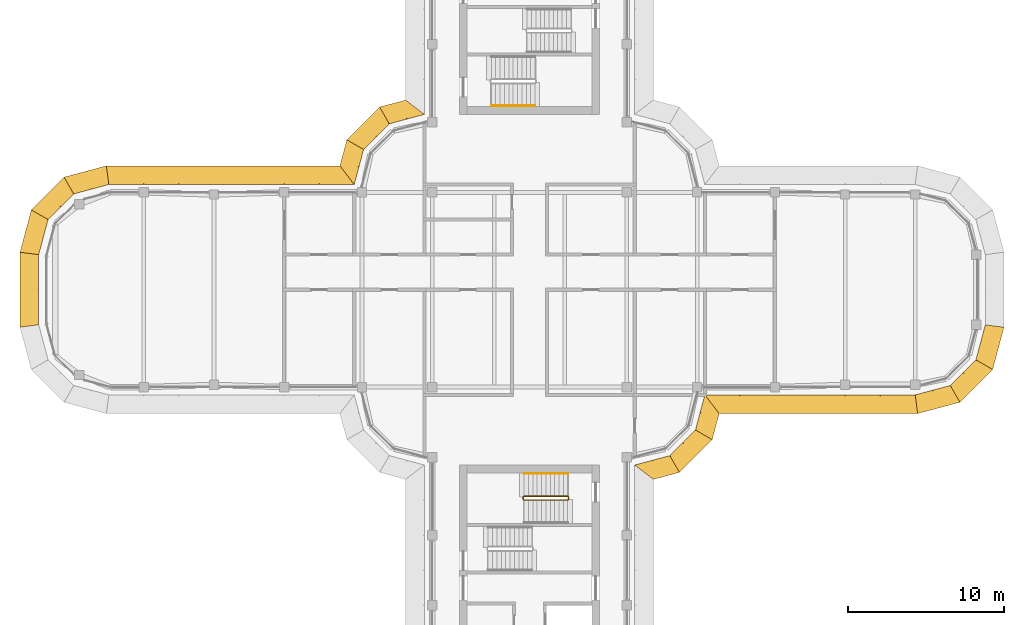
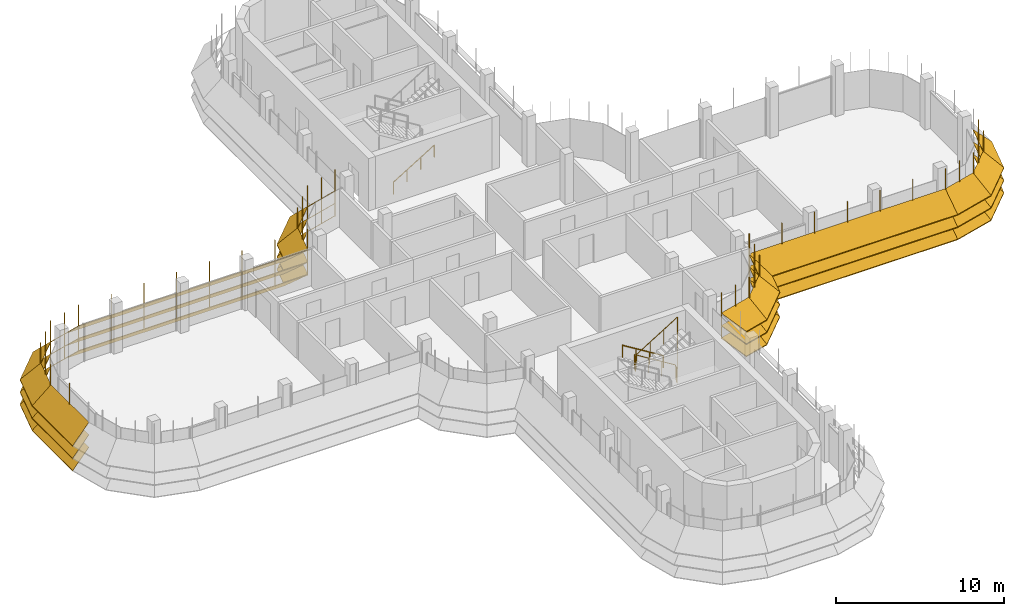
# One storey, part 17 of 19: 7 shading devices, 3 railings.
"""IFC4 building model written with IfcOpenShell, lengths in metres."""

from ifc_helpers import new_model, si_unit, direction, frame, origin, origin_2d, place, context, subcontext, project, spatial, polyline, circle, outline, extrude, faceted_brep, source, transform, mapped, material, type_object, element, save


model = new_model("IFC4")

# Units and contexts
model_context = context("Model", 3, precision=1e-05, world=origin(), true_north=direction((0.0, 1.0)))
body_context = subcontext(model_context, "Body", "Model", "MODEL_VIEW")
ifc_project = project(units=[si_unit("LENGTHUNIT", "METRE"), si_unit("AREAUNIT", "SQUARE_METRE"), si_unit("VOLUMEUNIT", "CUBIC_METRE"), si_unit("PLANEANGLEUNIT", "RADIAN"), si_unit("MASSUNIT", "GRAM", prefix="KILO")], contexts=[model_context])

# Site, building, storey
site_placement = place(None, origin())
site = spatial("IfcSite", under=ifc_project, at=site_placement, CompositionType="ELEMENT")
building_placement = place(site_placement, origin())
building = spatial("IfcBuilding", under=site, at=building_placement, Name="Zarbagh Exchange Tower", CompositionType="ELEMENT")
storey_placement = place(building_placement, frame((0.0, 0.0, 253.60009765625)))
storey = spatial("IfcBuildingStorey", under=building, at=storey_placement, Name="L62", CompositionType="ELEMENT", Elevation=253.60009765625)

# Railings
ifc_material_1 = material(Name="Stainless steel", Category="steel")
railing_type_1 = type_object("IfcRailingType", Name="Stair guard 1100 mm", PredefinedType="GUARDRAIL", material=ifc_material_1)
railing_1_placement = place(storey_placement, frame((-0.35009765625, -13.5, 2.072509765625)))
element("IfcRailing", 1, at=railing_1_placement, inside=storey, type_object=railing_type_1, Name="ST4 stair guard 1", PredefinedType="GUARDRAIL", context=body_context, shape_type="SweptSolid", body=[
    extrude(circle(Radius=0.02392578125, at=origin_2d()), frame((0.0, 0.0, 1.076171875), z_axis=(0.851089632645, 0.0, 0.525020415988), x_axis=(0.0, 1.0, 0.0)), (0.0, 0.0, 1.0), 3.2900390625),
    extrude(circle(Radius=0.02392578125, at=origin_2d()), frame((2.800048828125, 0.0, 2.80322265625), z_axis=(0.013169136761, 0.013169136761, -0.999826558796), x_axis=(-0.707106781187, 0.707106781187, 0.0)), (0.0, 0.0, 1.0), 3.800537109375),
    extrude(circle(Radius=0.02392578125, at=origin_2d()), frame((2.85009765625, 0.050048828125, -0.99658203125), z_axis=(0.0, 1.0, 0.0), x_axis=(-1.0, 0.0, 0.0)), (0.0, 0.0, 1.0), 0.14990234375),
    extrude(circle(Radius=0.02392578125, at=origin_2d()), frame((2.85009765625, 0.199951171875, -0.99658203125), z_axis=(-0.268277960024, 0.268277960024, 0.925231793839), x_axis=(-0.707106781187, -0.707106781187, 0.0)), (0.0, 0.0, 1.0), 0.1865234375),
    extrude(circle(Radius=0.02392578125, at=origin_2d()), frame((2.800048828125, 0.25, -0.82373046875), z_axis=(-0.851089632645, 0.0, 0.525020415988), x_axis=(0.0, -1.0, 0.0)), (0.0, 0.0, 1.0), 3.2900390625),
    extrude(circle(Radius=0.02392578125, at=origin_2d()), frame((0.0, 0.25, 0.9033203125), z_axis=(-0.705375805398, -0.708833529934, 0.0), x_axis=(0.708833529934, -0.705375805398, 0.0)), (0.0, 0.0, 1.0), 0.070556640625),
    extrude(circle(Radius=0.02392578125, at=origin_2d()), frame((-0.0498046875, 0.199951171875, 0.9033203125), z_axis=(0.0, -1.0, 0.0), x_axis=(1.0, 0.0, 0.0)), (0.0, 0.0, 1.0), 0.14990234375),
    extrude(circle(Radius=0.02099609375, at=origin_2d()), origin(), (0.0, 0.0, 1.0), 1.052001953125),
    extrude(circle(Radius=0.02099609375, at=origin_2d()), frame((0.933349609375, 0.0, 0.57568359375)), (0.0, 0.0, 1.0), 1.052001953125),
    extrude(circle(Radius=0.02099609375, at=origin_2d()), frame((1.86669921875, 0.0, 1.151611328125)), (0.0, 0.0, 1.0), 1.052001953125),
    extrude(circle(Radius=0.02099609375, at=origin_2d()), frame((2.800048828125, 0.0, 1.727294921875)), (0.0, 0.0, 1.0), 1.052001953125),
    extrude(circle(Radius=0.02099609375, at=origin_2d()), frame((2.8125, 0.012451171875, 0.77734375)), (0.0, 0.0, 1.0), 1.052001953125),
    extrude(circle(Radius=0.02099609375, at=origin_2d()), frame((2.8251953125, 0.02490234375, -0.172607421875)), (0.0, 0.0, 1.0), 1.052001953125),
    extrude(circle(Radius=0.02099609375, at=origin_2d()), frame((2.837646484375, 0.03759765625, -1.12255859375)), (0.0, 0.0, 1.0), 1.052001953125),
    extrude(circle(Radius=0.02099609375, at=origin_2d()), frame((2.85009765625, 0.050048828125, -2.072509765625)), (0.0, 0.0, 1.0), 1.052001953125),
    extrude(circle(Radius=0.02099609375, at=origin_2d()), frame((2.85009765625, 0.199951171875, -2.072509765625)), (0.0, 0.0, 1.0), 1.052001953125),
    extrude(circle(Radius=0.02099609375, at=origin_2d()), frame((2.800048828125, 0.25, -1.89990234375)), (0.0, 0.0, 1.0), 1.052001953125),
    extrude(circle(Radius=0.02099609375, at=origin_2d()), frame((1.86669921875, 0.25, -1.32421875)), (0.0, 0.0, 1.0), 1.052001953125),
    extrude(circle(Radius=0.02099609375, at=origin_2d()), frame((0.933349609375, 0.25, -0.748291015625)), (0.0, 0.0, 1.0), 1.052001953125),
    extrude(circle(Radius=0.02099609375, at=origin_2d()), frame((0.0, 0.25, -0.172607421875)), (0.0, 0.0, 1.0), 1.052001953125),
    extrude(circle(Radius=0.02099609375, at=origin_2d()), frame((-0.0498046875, 0.199951171875, -0.172607421875)), (0.0, 0.0, 1.0), 1.052001953125),
    extrude(circle(Radius=0.02099609375, at=origin_2d()), frame((-0.0498046875, 0.050048828125, -0.172607421875)), (0.0, 0.0, 1.0), 1.052001953125),
])
railing_type_2 = type_object("IfcRailingType", Name="Stair handrail 900 mm", PredefinedType="HANDRAIL", material=ifc_material_1)
railing_2_placement = place(storey_placement, frame((-2.449951171875, 11.800048828125, 0.172607421875)))
element("IfcRailing", 2, at=railing_2_placement, inside=storey, type_object=railing_type_2, Name="ST2 stair handrail 1", PredefinedType="HANDRAIL", context=body_context, shape_type="SweptSolid", body=[
    extrude(circle(Radius=0.02392578125, at=origin_2d()), frame((0.0, 0.0, 0.8759765625), z_axis=(0.851089632645, 0.0, 0.525020415988), x_axis=(0.0, 1.0, 0.0)), (0.0, 0.0, 1.0), 3.2900390625),
    extrude(circle(Radius=0.02099609375, at=origin_2d()), origin(), (0.0, 0.0, 1.0), 0.851806640625),
    extrude(circle(Radius=0.02099609375, at=origin_2d()), frame((0.933349609375, 0.0, 0.57568359375)), (0.0, 0.0, 1.0), 0.851806640625),
    extrude(circle(Radius=0.02099609375, at=origin_2d()), frame((1.86669921875, 0.0, 1.151611328125)), (0.0, 0.0, 1.0), 0.851806640625),
    extrude(circle(Radius=0.02099609375, at=origin_2d()), frame((2.800048828125, 0.0, 1.727294921875)), (0.0, 0.0, 1.0), 0.851806640625),
])
railing_3_placement = place(storey_placement, frame((2.449951171875, -11.800048828125, 0.172607421875)))
element("IfcRailing", 3, at=railing_3_placement, inside=storey, type_object=railing_type_2, Name="ST4 stair handrail 1", PredefinedType="HANDRAIL", context=body_context, shape_type="SweptSolid", body=[
    extrude(circle(Radius=0.02392578125, at=origin_2d()), frame((0.0, 0.0, 0.8759765625), z_axis=(-0.851089632645, 0.0, 0.525020415988), x_axis=(0.0, -1.0, 0.0)), (0.0, 0.0, 1.0), 3.2900390625),
    extrude(circle(Radius=0.02099609375, at=origin_2d()), origin(), (0.0, 0.0, 1.0), 0.851806640625),
    extrude(circle(Radius=0.02099609375, at=origin_2d()), frame((-0.933349609375, 0.0, 0.57568359375)), (0.0, 0.0, 1.0), 0.851806640625),
    extrude(circle(Radius=0.02099609375, at=origin_2d()), frame((-1.86669921875, 0.0, 1.151611328125)), (0.0, 0.0, 1.0), 0.851806640625),
    extrude(circle(Radius=0.02099609375, at=origin_2d()), frame((-2.800048828125, 0.0, 1.727294921875)), (0.0, 0.0, 1.0), 0.851806640625),
])

# Shading devices
ifc_material_2 = material(Name="Anodised aluminium blades and brackets", Category="aluminium")
shading_device_type = type_object("IfcShadingDeviceType", Name="SUNSHADE louvre band, 45 degree blades", PredefinedType="JALOUSIE", material=ifc_material_2)
shared_shape_1 = source(origin(), body_context, "Body", "Brep", [
    faceted_brep([(0.0, 0.0, 0.0), (0.0, 0.0, -0.056640625), (-0.157958984375, -1.199951171875, -1.256591796875), (-0.157958984375, -1.199951171875, -1.199951171875), (2.65087890625, -1.199951171875, -1.199951171875), (2.65087890625, -1.199951171875, -1.256591796875), (2.329345703125, 0.0, -0.056640625), (2.329345703125, 0.0, 0.0)], [[[0, 1, 2, 3]], [[4, 5, 6, 7]], [[0, 7, 6, 1]], [[1, 6, 5, 2]], [[2, 5, 4, 3]], [[3, 4, 7, 0]]]),
])
shared_shape_2 = source(origin(), body_context, "Body", "Brep", [
    faceted_brep([(0.0, 0.0, 0.0), (0.0, 0.0, -0.056640625), (-0.321533203125, -1.199951171875, -1.256591796875), (-0.321533203125, -1.199951171875, -1.199951171875), (2.65087890625, -1.199951171875, -1.199951171875), (2.65087890625, -1.199951171875, -1.256591796875), (2.329345703125, 0.0, -0.056640625), (2.329345703125, 0.0, 0.0)], [[[0, 1, 2, 3]], [[4, 5, 6, 7]], [[0, 7, 6, 1]], [[1, 6, 5, 2]], [[2, 5, 4, 3]], [[3, 4, 7, 0]]]),
])
shared_shape_3 = source(origin(), body_context, "Body", "Brep", [
    faceted_brep([(0.0, 0.0, 0.0), (0.0, 0.0, -0.056640625), (-0.321533203125, -1.199951171875, -1.256591796875), (-0.321533203125, -1.199951171875, -1.199951171875), (2.4873046875, -1.199951171875, -1.199951171875), (2.4873046875, -1.199951171875, -1.256591796875), (2.329345703125, 0.0, -0.056640625), (2.329345703125, 0.0, 0.0)], [[[0, 1, 2, 3]], [[4, 5, 6, 7]], [[0, 7, 6, 1]], [[1, 6, 5, 2]], [[2, 5, 4, 3]], [[3, 4, 7, 0]]]),
])
shared_shape_4 = source(origin(), body_context, "Body", "SweptSolid", [
    extrude(outline(polyline([(0.0, -0.012451171875), (0.06005859375, -0.012451171875), (0.06005859375, 0.012451171875), (0.0, 0.012451171875), (0.0, -0.012451171875)])), origin(), (0.0, 0.0, 1.0), 3.366455078125),
])
placement = place(storey_placement, origin())
element("IfcShadingDevice", 4, at=placement, inside=storey, type_object=shading_device_type, Name="SS51 sunshade band", PredefinedType="JALOUSIE", context=body_context, shape_type="MappedRepresentation", body=[
    mapped(shared_shape_1, transform((24.75, -6.75, 2.2998046875), x_axis=(0.965924289636, 0.258824779902, 0.0), y_axis=(-0.258824779902, 0.965924289636, 0.0), z_axis=(0.0, 0.0, 1.0))),
    mapped(shared_shape_1, transform((24.75, -6.75, 1.39990234375), x_axis=(0.965924289636, 0.258824779902, 0.0), y_axis=(-0.258824779902, 0.965924289636, 0.0), z_axis=(0.0, 0.0, 1.0))),
    mapped(shared_shape_1, transform((24.75, -6.75, 0.5), x_axis=(0.965924289636, 0.258824779902, 0.0), y_axis=(-0.258824779902, 0.965924289636, 0.0), z_axis=(0.0, 0.0, 1.0))),
    mapped(shared_shape_2, transform((27.0, -6.147216796875, 2.2998046875), x_axis=(0.707106781187, 0.707106781187, 0.0), y_axis=(-0.707106781187, 0.707106781187, 0.0), z_axis=(0.0, 0.0, 1.0))),
    mapped(shared_shape_2, transform((27.0, -6.147216796875, 1.39990234375), x_axis=(0.707106781187, 0.707106781187, 0.0), y_axis=(-0.707106781187, 0.707106781187, 0.0), z_axis=(0.0, 0.0, 1.0))),
    mapped(shared_shape_2, transform((27.0, -6.147216796875, 0.5), x_axis=(0.707106781187, 0.707106781187, 0.0), y_axis=(-0.707106781187, 0.707106781187, 0.0), z_axis=(0.0, 0.0, 1.0))),
    mapped(shared_shape_3, transform((28.647216796875, -4.5, 2.2998046875), x_axis=(0.258824779902, 0.965924289636, 0.0), y_axis=(-0.965924289636, 0.258824779902, 0.0), z_axis=(0.0, 0.0, 1.0))),
    mapped(shared_shape_3, transform((28.647216796875, -4.5, 1.39990234375), x_axis=(0.258824779902, 0.965924289636, 0.0), y_axis=(-0.965924289636, 0.258824779902, 0.0), z_axis=(0.0, 0.0, 1.0))),
    mapped(shared_shape_3, transform((28.647216796875, -4.5, 0.5), x_axis=(0.258824779902, 0.965924289636, 0.0), y_axis=(-0.965924289636, 0.258824779902, 0.0), z_axis=(0.0, 0.0, 1.0))),
    mapped(shared_shape_4, transform((24.75, -6.75, 0.413330078125), x_axis=(0.130529263012, -0.991444457092, 0.0), y_axis=(0.991444457092, 0.130529263012, 0.0), z_axis=(0.0, 0.0, 1.0))),
    mapped(shared_shape_4, transform((25.875, -6.448486328125, 0.413330078125), x_axis=(0.258825058029, -0.96592421511, 0.0), y_axis=(0.96592421511, 0.258825058029, 0.0), z_axis=(0.0, 0.0, 1.0))),
    mapped(shared_shape_4, transform((27.0, -6.147216796875, 0.413330078125), x_axis=(0.50000275701, -0.866023812018, 0.0), y_axis=(0.866023812018, 0.50000275701, 0.0), z_axis=(0.0, 0.0, 1.0))),
    mapped(shared_shape_4, transform((27.823486328125, -5.323486328125, 0.413330078125), x_axis=(0.707106781187, -0.707106781187, 0.0), y_axis=(0.707106781187, 0.707106781187, 0.0), z_axis=(0.0, 0.0, 1.0))),
    mapped(shared_shape_4, transform((28.647216796875, -4.5, 0.413330078125), x_axis=(0.866023812018, -0.50000275701, 0.0), y_axis=(0.50000275701, 0.866023812018, 0.0), z_axis=(0.0, 0.0, 1.0))),
    mapped(shared_shape_4, transform((28.948486328125, -3.375, 0.413330078125), x_axis=(0.96592421511, -0.258825058029, 0.0), y_axis=(0.258825058029, 0.96592421511, 0.0), z_axis=(0.0, 0.0, 1.0))),
])
element("IfcShadingDevice", 5, at=placement, inside=storey, type_object=shading_device_type, Name="SS41 sunshade band", PredefinedType="JALOUSIE", context=body_context, shape_type="MappedRepresentation", body=[
    mapped(shared_shape_1, transform((-27.0, 6.75, 2.2998046875), x_axis=(-0.965924289636, -0.258824779902, 0.0), y_axis=(0.258824779902, -0.965924289636, 0.0), z_axis=(0.0, 0.0, 1.0))),
    mapped(shared_shape_1, transform((-27.0, 6.75, 1.39990234375), x_axis=(-0.965924289636, -0.258824779902, 0.0), y_axis=(0.258824779902, -0.965924289636, 0.0), z_axis=(0.0, 0.0, 1.0))),
    mapped(shared_shape_1, transform((-27.0, 6.75, 0.5), x_axis=(-0.965924289636, -0.258824779902, 0.0), y_axis=(0.258824779902, -0.965924289636, 0.0), z_axis=(0.0, 0.0, 1.0))),
    mapped(shared_shape_2, transform((-29.25, 6.147216796875, 2.2998046875), x_axis=(-0.707106781187, -0.707106781187, 0.0), y_axis=(0.707106781187, -0.707106781187, 0.0), z_axis=(0.0, 0.0, 1.0))),
    mapped(shared_shape_2, transform((-29.25, 6.147216796875, 1.39990234375), x_axis=(-0.707106781187, -0.707106781187, 0.0), y_axis=(0.707106781187, -0.707106781187, 0.0), z_axis=(0.0, 0.0, 1.0))),
    mapped(shared_shape_2, transform((-29.25, 6.147216796875, 0.5), x_axis=(-0.707106781187, -0.707106781187, 0.0), y_axis=(0.707106781187, -0.707106781187, 0.0), z_axis=(0.0, 0.0, 1.0))),
    mapped(shared_shape_3, transform((-30.897216796875, 4.5, 2.2998046875), x_axis=(-0.258824779902, -0.965924289636, 0.0), y_axis=(0.965924289636, -0.258824779902, 0.0), z_axis=(0.0, 0.0, 1.0))),
    mapped(shared_shape_3, transform((-30.897216796875, 4.5, 1.39990234375), x_axis=(-0.258824779902, -0.965924289636, 0.0), y_axis=(0.965924289636, -0.258824779902, 0.0), z_axis=(0.0, 0.0, 1.0))),
    mapped(shared_shape_3, transform((-30.897216796875, 4.5, 0.5), x_axis=(-0.258824779902, -0.965924289636, 0.0), y_axis=(0.965924289636, -0.258824779902, 0.0), z_axis=(0.0, 0.0, 1.0))),
    mapped(shared_shape_4, transform((-27.0, 6.75, 0.413330078125), x_axis=(-0.130529263012, 0.991444457092, 0.0), y_axis=(-0.991444457092, -0.130529263012, 0.0), z_axis=(0.0, 0.0, 1.0))),
    mapped(shared_shape_4, transform((-28.125, 6.448486328125, 0.413330078125), x_axis=(-0.258825058029, 0.96592421511, 0.0), y_axis=(-0.96592421511, -0.258825058029, 0.0), z_axis=(0.0, 0.0, 1.0))),
    mapped(shared_shape_4, transform((-29.25, 6.147216796875, 0.413330078125), x_axis=(-0.50000275701, 0.866023812018, 0.0), y_axis=(-0.866023812018, -0.50000275701, 0.0), z_axis=(0.0, 0.0, 1.0))),
    mapped(shared_shape_4, transform((-30.073486328125, 5.323486328125, 0.413330078125), x_axis=(-0.707106781187, 0.707106781187, 0.0), y_axis=(-0.707106781187, -0.707106781187, 0.0), z_axis=(0.0, 0.0, 1.0))),
    mapped(shared_shape_4, transform((-30.897216796875, 4.5, 0.413330078125), x_axis=(-0.866023812018, 0.50000275701, 0.0), y_axis=(-0.50000275701, -0.866023812018, 0.0), z_axis=(0.0, 0.0, 1.0))),
    mapped(shared_shape_4, transform((-31.198486328125, 3.375, 0.413330078125), x_axis=(-0.96592421511, 0.258825058029, 0.0), y_axis=(-0.258825058029, -0.96592421511, 0.0), z_axis=(0.0, 0.0, 1.0))),
])
shared_shape_5 = source(origin(), body_context, "Body", "Brep", [
    faceted_brep([(0.0, 0.0, 0.0), (0.0, 0.0, -0.056640625), (0.9208984375, -1.199951171875, -1.256591796875), (0.9208984375, -1.199951171875, -1.199951171875), (2.65087890625, -1.199951171875, -1.199951171875), (2.65087890625, -1.199951171875, -1.256591796875), (2.329345703125, 0.0, -0.056640625), (2.329345703125, 0.0, 0.0)], [[[0, 1, 2, 3]], [[4, 5, 6, 7]], [[0, 7, 6, 1]], [[1, 6, 5, 2]], [[2, 5, 4, 3]], [[3, 4, 7, 0]]]),
])
shared_shape_6 = source(origin(), body_context, "Body", "Brep", [
    faceted_brep([(0.0, 0.0, 0.0), (0.0, 0.0, -0.056640625), (-0.321533203125, -1.199951171875, -1.256591796875), (-0.321533203125, -1.199951171875, -1.199951171875), (1.40869140625, -1.199951171875, -1.199951171875), (1.40869140625, -1.199951171875, -1.256591796875), (2.329345703125, 0.0, -0.056640625), (2.329345703125, 0.0, 0.0)], [[[0, 1, 2, 3]], [[4, 5, 6, 7]], [[0, 7, 6, 1]], [[1, 6, 5, 2]], [[2, 5, 4, 3]], [[3, 4, 7, 0]]]),
])
element("IfcShadingDevice", 6, at=placement, inside=storey, type_object=shading_device_type, Name="SS03 sunshade band", PredefinedType="JALOUSIE", context=body_context, shape_type="MappedRepresentation", body=[
    mapped(shared_shape_5, transform((6.75, -11.25, 2.2998046875), x_axis=(0.965924289636, 0.258824779902, 0.0), y_axis=(-0.258824779902, 0.965924289636, 0.0), z_axis=(0.0, 0.0, 1.0))),
    mapped(shared_shape_5, transform((6.75, -11.25, 1.39990234375), x_axis=(0.965924289636, 0.258824779902, 0.0), y_axis=(-0.258824779902, 0.965924289636, 0.0), z_axis=(0.0, 0.0, 1.0))),
    mapped(shared_shape_5, transform((6.75, -11.25, 0.5), x_axis=(0.965924289636, 0.258824779902, 0.0), y_axis=(-0.258824779902, 0.965924289636, 0.0), z_axis=(0.0, 0.0, 1.0))),
    mapped(shared_shape_2, transform((9.0, -10.647216796875, 2.2998046875), x_axis=(0.707106781187, 0.707106781187, 0.0), y_axis=(-0.707106781187, 0.707106781187, 0.0), z_axis=(0.0, 0.0, 1.0))),
    mapped(shared_shape_2, transform((9.0, -10.647216796875, 1.39990234375), x_axis=(0.707106781187, 0.707106781187, 0.0), y_axis=(-0.707106781187, 0.707106781187, 0.0), z_axis=(0.0, 0.0, 1.0))),
    mapped(shared_shape_2, transform((9.0, -10.647216796875, 0.5), x_axis=(0.707106781187, 0.707106781187, 0.0), y_axis=(-0.707106781187, 0.707106781187, 0.0), z_axis=(0.0, 0.0, 1.0))),
    mapped(shared_shape_6, transform((10.647216796875, -9.0, 2.2998046875), x_axis=(0.258824779902, 0.965924289636, 0.0), y_axis=(-0.965924289636, 0.258824779902, 0.0), z_axis=(0.0, 0.0, 1.0))),
    mapped(shared_shape_6, transform((10.647216796875, -9.0, 1.39990234375), x_axis=(0.258824779902, 0.965924289636, 0.0), y_axis=(-0.965924289636, 0.258824779902, 0.0), z_axis=(0.0, 0.0, 1.0))),
    mapped(shared_shape_6, transform((10.647216796875, -9.0, 0.5), x_axis=(0.258824779902, 0.965924289636, 0.0), y_axis=(-0.965924289636, 0.258824779902, 0.0), z_axis=(0.0, 0.0, 1.0))),
    mapped(shared_shape_4, transform((6.75, -11.25, 0.413330078125), x_axis=(0.793355287, -0.608758892, 0.0), y_axis=(0.608758892, 0.793355287, 0.0), z_axis=(0.0, 0.0, 1.0))),
    mapped(shared_shape_4, transform((7.875, -10.948486328125, 0.413330078125), x_axis=(0.258825058029, -0.96592421511, 0.0), y_axis=(0.96592421511, 0.258825058029, 0.0), z_axis=(0.0, 0.0, 1.0))),
    mapped(shared_shape_4, transform((9.0, -10.647216796875, 0.413330078125), x_axis=(0.50000275701, -0.866023812018, 0.0), y_axis=(0.866023812018, 0.50000275701, 0.0), z_axis=(0.0, 0.0, 1.0))),
    mapped(shared_shape_4, transform((9.823486328125, -9.823486328125, 0.413330078125), x_axis=(0.707106781187, -0.707106781187, 0.0), y_axis=(0.707106781187, 0.707106781187, 0.0), z_axis=(0.0, 0.0, 1.0))),
    mapped(shared_shape_4, transform((10.647216796875, -9.0, 0.413330078125), x_axis=(0.866023812018, -0.50000275701, 0.0), y_axis=(0.50000275701, 0.866023812018, 0.0), z_axis=(0.0, 0.0, 1.0))),
    mapped(shared_shape_4, transform((10.948486328125, -7.875, 0.413330078125), x_axis=(0.96592421511, -0.258825058029, 0.0), y_axis=(0.258825058029, 0.96592421511, 0.0), z_axis=(0.0, 0.0, 1.0))),
])
element("IfcShadingDevice", 7, at=placement, inside=storey, type_object=shading_device_type, Name="SS15 sunshade band", PredefinedType="JALOUSIE", context=body_context, shape_type="MappedRepresentation", body=[
    mapped(shared_shape_5, transform((-6.75, 11.25, 2.2998046875), x_axis=(-0.965924289636, -0.258824779902, 0.0), y_axis=(0.258824779902, -0.965924289636, 0.0), z_axis=(0.0, 0.0, 1.0))),
    mapped(shared_shape_5, transform((-6.75, 11.25, 1.39990234375), x_axis=(-0.965924289636, -0.258824779902, 0.0), y_axis=(0.258824779902, -0.965924289636, 0.0), z_axis=(0.0, 0.0, 1.0))),
    mapped(shared_shape_5, transform((-6.75, 11.25, 0.5), x_axis=(-0.965924289636, -0.258824779902, 0.0), y_axis=(0.258824779902, -0.965924289636, 0.0), z_axis=(0.0, 0.0, 1.0))),
    mapped(shared_shape_2, transform((-9.0, 10.647216796875, 2.2998046875), x_axis=(-0.707106781187, -0.707106781187, 0.0), y_axis=(0.707106781187, -0.707106781187, 0.0), z_axis=(0.0, 0.0, 1.0))),
    mapped(shared_shape_2, transform((-9.0, 10.647216796875, 1.39990234375), x_axis=(-0.707106781187, -0.707106781187, 0.0), y_axis=(0.707106781187, -0.707106781187, 0.0), z_axis=(0.0, 0.0, 1.0))),
    mapped(shared_shape_2, transform((-9.0, 10.647216796875, 0.5), x_axis=(-0.707106781187, -0.707106781187, 0.0), y_axis=(0.707106781187, -0.707106781187, 0.0), z_axis=(0.0, 0.0, 1.0))),
    mapped(shared_shape_6, transform((-10.647216796875, 9.0, 2.2998046875), x_axis=(-0.258824779902, -0.965924289636, 0.0), y_axis=(0.965924289636, -0.258824779902, 0.0), z_axis=(0.0, 0.0, 1.0))),
    mapped(shared_shape_6, transform((-10.647216796875, 9.0, 1.39990234375), x_axis=(-0.258824779902, -0.965924289636, 0.0), y_axis=(0.965924289636, -0.258824779902, 0.0), z_axis=(0.0, 0.0, 1.0))),
    mapped(shared_shape_6, transform((-10.647216796875, 9.0, 0.5), x_axis=(-0.258824779902, -0.965924289636, 0.0), y_axis=(0.965924289636, -0.258824779902, 0.0), z_axis=(0.0, 0.0, 1.0))),
    mapped(shared_shape_4, transform((-6.75, 11.25, 0.413330078125), x_axis=(-0.793355287, 0.608758892, 0.0), y_axis=(-0.608758892, -0.793355287, 0.0), z_axis=(0.0, 0.0, 1.0))),
    mapped(shared_shape_4, transform((-7.875, 10.948486328125, 0.413330078125), x_axis=(-0.258825058029, 0.96592421511, 0.0), y_axis=(-0.96592421511, -0.258825058029, 0.0), z_axis=(0.0, 0.0, 1.0))),
    mapped(shared_shape_4, transform((-9.0, 10.647216796875, 0.413330078125), x_axis=(-0.50000275701, 0.866023812018, 0.0), y_axis=(-0.866023812018, -0.50000275701, 0.0), z_axis=(0.0, 0.0, 1.0))),
    mapped(shared_shape_4, transform((-9.823486328125, 9.823486328125, 0.413330078125), x_axis=(-0.707106781187, 0.707106781187, 0.0), y_axis=(-0.707106781187, -0.707106781187, 0.0), z_axis=(0.0, 0.0, 1.0))),
    mapped(shared_shape_4, transform((-10.647216796875, 9.0, 0.413330078125), x_axis=(-0.866023812018, 0.50000275701, 0.0), y_axis=(-0.50000275701, -0.866023812018, 0.0), z_axis=(0.0, 0.0, 1.0))),
    mapped(shared_shape_4, transform((-10.948486328125, 7.875, 0.413330078125), x_axis=(-0.96592421511, 0.258825058029, 0.0), y_axis=(-0.258825058029, -0.96592421511, 0.0), z_axis=(0.0, 0.0, 1.0))),
])
shared_shape_7 = source(origin(), body_context, "Body", "Brep", [
    faceted_brep([(0.0, 0.0, 0.0), (0.0, 0.0, -0.056640625), (0.9208984375, -1.199951171875, -1.256591796875), (0.9208984375, -1.199951171875, -1.199951171875), (13.657958984375, -1.199951171875, -1.199951171875), (13.657958984375, -1.199951171875, -1.256591796875), (13.5, 0.0, -0.056640625), (13.5, 0.0, 0.0)], [[[0, 1, 2, 3]], [[4, 5, 6, 7]], [[0, 7, 6, 1]], [[1, 6, 5, 2]], [[2, 5, 4, 3]], [[3, 4, 7, 0]]]),
])
element("IfcShadingDevice", 8, at=placement, inside=storey, type_object=shading_device_type, Name="SS50 sunshade band", PredefinedType="JALOUSIE", context=body_context, shape_type="MappedRepresentation", body=[
    mapped(shared_shape_7, transform((11.25, -6.75, 2.2998046875), x_axis=(1.0, 0.0, 0.0), y_axis=(0.0, 1.0, 0.0), z_axis=(0.0, 0.0, 1.0))),
    mapped(shared_shape_7, transform((11.25, -6.75, 1.39990234375), x_axis=(1.0, 0.0, 0.0), y_axis=(0.0, 1.0, 0.0), z_axis=(0.0, 0.0, 1.0))),
    mapped(shared_shape_7, transform((11.25, -6.75, 0.5), x_axis=(1.0, 0.0, 0.0), y_axis=(0.0, 1.0, 0.0), z_axis=(0.0, 0.0, 1.0))),
    mapped(shared_shape_4, transform((11.25, -6.75, 0.413330078125), x_axis=(0.608758892, -0.793355287, 0.0), y_axis=(0.793355287, 0.608758892, 0.0), z_axis=(0.0, 0.0, 1.0))),
    mapped(shared_shape_4, transform((13.5, -6.75, 0.413330078125), x_axis=(0.0, -1.0, 0.0), y_axis=(1.0, 0.0, 0.0), z_axis=(0.0, 0.0, 1.0))),
    mapped(shared_shape_4, transform((15.75, -6.75, 0.413330078125), x_axis=(0.0, -1.0, 0.0), y_axis=(1.0, 0.0, 0.0), z_axis=(0.0, 0.0, 1.0))),
    mapped(shared_shape_4, transform((18.0, -6.75, 0.413330078125), x_axis=(0.0, -1.0, 0.0), y_axis=(1.0, 0.0, 0.0), z_axis=(0.0, 0.0, 1.0))),
    mapped(shared_shape_4, transform((20.25, -6.75, 0.413330078125), x_axis=(0.0, -1.0, 0.0), y_axis=(1.0, 0.0, 0.0), z_axis=(0.0, 0.0, 1.0))),
    mapped(shared_shape_4, transform((22.5, -6.75, 0.413330078125), x_axis=(0.0, -1.0, 0.0), y_axis=(1.0, 0.0, 0.0), z_axis=(0.0, 0.0, 1.0))),
])
shared_shape_8 = source(origin(), body_context, "Body", "Brep", [
    faceted_brep([(0.0, 0.0, 0.0), (0.0, 0.0, -0.056640625), (0.9208984375, -1.199951171875, -1.256591796875), (0.9208984375, -1.199951171875, -1.199951171875), (15.907958984375, -1.199951171875, -1.199951171875), (15.907958984375, -1.199951171875, -1.256591796875), (15.75, 0.0, -0.056640625), (15.75, 0.0, 0.0)], [[[0, 1, 2, 3]], [[4, 5, 6, 7]], [[0, 7, 6, 1]], [[1, 6, 5, 2]], [[2, 5, 4, 3]], [[3, 4, 7, 0]]]),
])
element("IfcShadingDevice", 9, at=placement, inside=storey, type_object=shading_device_type, Name="SS40 sunshade band", PredefinedType="JALOUSIE", context=body_context, shape_type="MappedRepresentation", body=[
    mapped(shared_shape_8, transform((-11.25, 6.75, 2.2998046875), x_axis=(-1.0, 0.0, 0.0), y_axis=(0.0, -1.0, 0.0), z_axis=(0.0, 0.0, 1.0))),
    mapped(shared_shape_8, transform((-11.25, 6.75, 1.39990234375), x_axis=(-1.0, 0.0, 0.0), y_axis=(0.0, -1.0, 0.0), z_axis=(0.0, 0.0, 1.0))),
    mapped(shared_shape_8, transform((-11.25, 6.75, 0.5), x_axis=(-1.0, 0.0, 0.0), y_axis=(0.0, -1.0, 0.0), z_axis=(0.0, 0.0, 1.0))),
    mapped(shared_shape_4, transform((-11.25, 6.75, 0.413330078125), x_axis=(-0.608758892, 0.793355287, 0.0), y_axis=(-0.793355287, -0.608758892, 0.0), z_axis=(0.0, 0.0, 1.0))),
    mapped(shared_shape_4, transform((-13.5, 6.75, 0.413330078125), x_axis=(0.0, 1.0, 0.0), y_axis=(-1.0, 0.0, 0.0), z_axis=(0.0, 0.0, 1.0))),
    mapped(shared_shape_4, transform((-15.75, 6.75, 0.413330078125), x_axis=(0.0, 1.0, 0.0), y_axis=(-1.0, 0.0, 0.0), z_axis=(0.0, 0.0, 1.0))),
    mapped(shared_shape_4, transform((-18.0, 6.75, 0.413330078125), x_axis=(0.0, 1.0, 0.0), y_axis=(-1.0, 0.0, 0.0), z_axis=(0.0, 0.0, 1.0))),
    mapped(shared_shape_4, transform((-20.25, 6.75, 0.413330078125), x_axis=(0.0, 1.0, 0.0), y_axis=(-1.0, 0.0, 0.0), z_axis=(0.0, 0.0, 1.0))),
    mapped(shared_shape_4, transform((-22.5, 6.75, 0.413330078125), x_axis=(0.0, 1.0, 0.0), y_axis=(-1.0, 0.0, 0.0), z_axis=(0.0, 0.0, 1.0))),
    mapped(shared_shape_4, transform((-24.75, 6.75, 0.413330078125), x_axis=(0.0, 1.0, 0.0), y_axis=(-1.0, 0.0, 0.0), z_axis=(0.0, 0.0, 1.0))),
])
shared_shape_9 = source(origin(), body_context, "Body", "Brep", [
    faceted_brep([(0.0, 0.0, 0.0), (0.0, 0.0, -0.056640625), (-0.157958984375, -1.199951171875, -1.256591796875), (-0.157958984375, -1.199951171875, -1.199951171875), (4.657958984375, -1.199951171875, -1.199951171875), (4.657958984375, -1.199951171875, -1.256591796875), (4.5, 0.0, -0.056640625), (4.5, 0.0, 0.0)], [[[0, 1, 2, 3]], [[4, 5, 6, 7]], [[0, 7, 6, 1]], [[1, 6, 5, 2]], [[2, 5, 4, 3]], [[3, 4, 7, 0]]]),
])
element("IfcShadingDevice", 10, at=placement, inside=storey, type_object=shading_device_type, Name="SS42 sunshade band", PredefinedType="JALOUSIE", context=body_context, shape_type="MappedRepresentation", body=[
    mapped(shared_shape_9, transform((-31.5, 2.25, 2.2998046875), x_axis=(0.0, -1.0, 0.0), y_axis=(1.0, 0.0, 0.0), z_axis=(0.0, 0.0, 1.0))),
    mapped(shared_shape_9, transform((-31.5, 2.25, 1.39990234375), x_axis=(0.0, -1.0, 0.0), y_axis=(1.0, 0.0, 0.0), z_axis=(0.0, 0.0, 1.0))),
    mapped(shared_shape_9, transform((-31.5, 2.25, 0.5), x_axis=(0.0, -1.0, 0.0), y_axis=(1.0, 0.0, 0.0), z_axis=(0.0, 0.0, 1.0))),
    mapped(shared_shape_4, transform((-31.5, 2.25, 0.413330078125), x_axis=(-0.991444457092, 0.130529263012, 0.0), y_axis=(-0.130529263012, -0.991444457092, 0.0), z_axis=(0.0, 0.0, 1.0))),
    mapped(shared_shape_4, transform((-31.5, 0.0, 0.413330078125), x_axis=(-1.0, 0.0, 0.0), y_axis=(0.0, -1.0, 0.0), z_axis=(0.0, 0.0, 1.0))),
])

save(model, "model.ifc")
